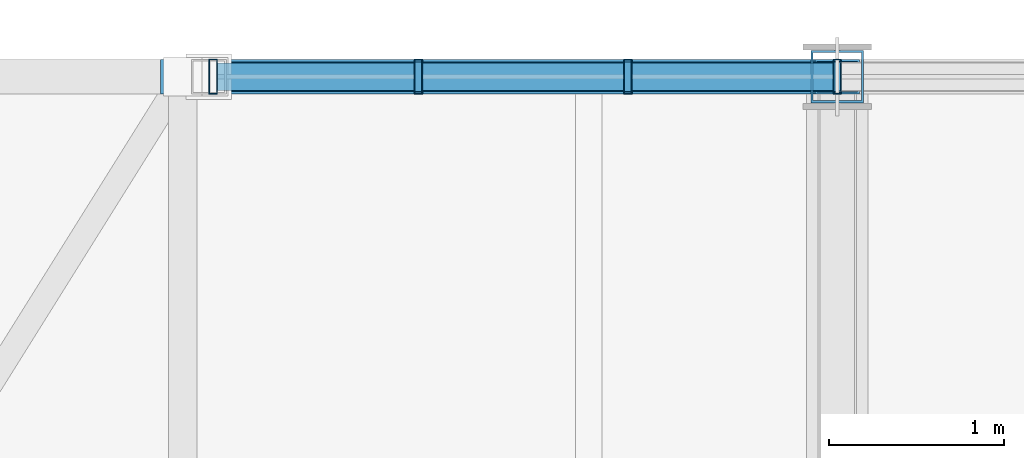
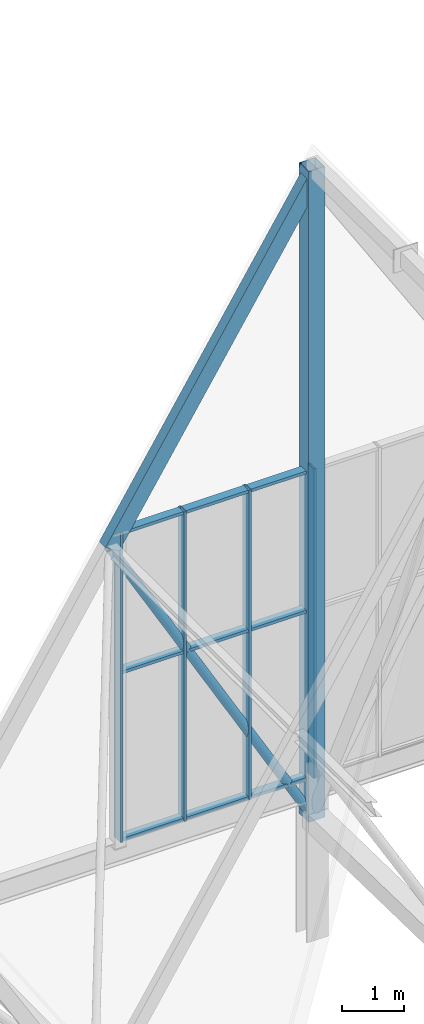
# One storey, part 169 of 324: 16 members, 1 element without a shape of its own.
"""IFC4 building model written with IfcOpenShell, lengths in metres."""

from ifc_helpers import new_model, si_unit, direction, frame, origin, origin_2d, place, context, subcontext, project, spatial, hollow_rectangle, hollow_circle, extrude, material, layer, layer_set, material_profile, profile_set, type_object, element, aggregate, save


model = new_model("IFC4")

# Units and contexts
model_context = context("Model", 3, precision=1e-05, world=origin(), true_north=direction((0.0, 1.0)))
body_context = subcontext(model_context, "Body", "Model", "MODEL_VIEW")
ifc_project = project(units=[si_unit("LENGTHUNIT", "METRE"), si_unit("AREAUNIT", "SQUARE_METRE"), si_unit("VOLUMEUNIT", "CUBIC_METRE"), si_unit("PLANEANGLEUNIT", "RADIAN"), si_unit("MASSUNIT", "GRAM", prefix="KILO")], contexts=[model_context])

# Site, building, storey
site_placement = place(None, origin())
site = spatial("IfcSite", under=ifc_project, at=site_placement, CompositionType="ELEMENT")
building_placement = place(site_placement, origin())
building = spatial("IfcBuilding", under=site, at=building_placement, Name="Solvenia Promenade Tram Depot", CompositionType="ELEMENT")
storey_placement = place(building_placement, frame((0.0, 0.0, 4.5)))
storey = spatial("IfcBuildingStorey", under=building, at=storey_placement, Name="L01", CompositionType="ELEMENT", Elevation=4.5)

# Curtain wall, members
ifc_material_1 = material(Name="Anodized aluminium AW-6063 T6", Category="aluminium")
ifc_layer = layer(ifc_material_1, 0.14990234375, Name="Anodized aluminium AW-6063 T6", Category="aluminium")
ifc_layer_set = layer_set([ifc_layer], Name="Anodized aluminium AW-6063 T6")
curtain_wall_type = type_object("IfcCurtainWallType", Name="CW-Gable-1200", PredefinedType="NOTDEFINED", material=ifc_layer_set)
curtain_wall_placement = place(storey_placement, origin())
curtain_wall = element("IfcCurtainWall", 1, at=curtain_wall_placement, inside=storey, type_object=curtain_wall_type, Name="North Zigzag Gable 09 Peak Glazing", PredefinedType="NOTDEFINED")
ifc_material_profile_1 = material_profile(ifc_material_1, hollow_rectangle(XDim=0.199951171875, YDim=0.048095703125, WallThickness=0.00390625, at=origin_2d()), Name="ALU-M3", Category="aluminium")
ifc_profile_set_1 = profile_set([ifc_material_profile_1], Name="Anodized aluminium AW-6063 T6")
member_type_1 = type_object("IfcMemberType", Name="CWM-Mullion-3", PredefinedType="MULLION", material=ifc_profile_set_1)
member_1_placement = place(storey_placement, frame((123.924072265625, 126.0, 3.10009765625), z_axis=(0.0, 0.0, 1.0), x_axis=(0.0, 1.0, 0.0)))
member_1 = element("IfcMember", 2, at=member_1_placement, type_object=member_type_1, Name="CW-3 mullion 1", PredefinedType="MULLION", context=body_context, shape_type="SweptSolid", body=[
    extrude(hollow_rectangle(XDim=0.199951171875, YDim=0.048095703125, WallThickness=0.00390625, at=origin_2d()), origin(), (0.0, 0.0, 1.0), 6.0498046875),
])
member_2_placement = place(storey_placement, frame((125.10009765625, 126.0, 3.10009765625), z_axis=(0.0, 0.0, 1.0), x_axis=(0.0, 1.0, 0.0)))
member_2 = element("IfcMember", 3, at=member_2_placement, type_object=member_type_1, Name="CW-3 mullion 2", PredefinedType="MULLION", context=body_context, shape_type="SweptSolid", body=[
    extrude(hollow_rectangle(XDim=0.199951171875, YDim=0.048095703125, WallThickness=0.00390625, at=origin_2d()), origin(), (0.0, 0.0, 1.0), 6.0498046875),
])
member_3_placement = place(storey_placement, frame((126.300048828125, 126.0, 3.10009765625), z_axis=(0.0, 0.0, 1.0), x_axis=(0.0, 1.0, 0.0)))
member_3 = element("IfcMember", 4, at=member_3_placement, type_object=member_type_1, Name="CW-3 mullion 3", PredefinedType="MULLION", context=body_context, shape_type="SweptSolid", body=[
    extrude(hollow_rectangle(XDim=0.199951171875, YDim=0.048095703125, WallThickness=0.00390625, at=origin_2d()), origin(), (0.0, 0.0, 1.0), 6.0498046875),
])
member_4_placement = place(storey_placement, frame((127.5, 126.0, 3.10009765625), z_axis=(0.0, 0.0, 1.0), x_axis=(0.0, 1.0, 0.0)))
member_4 = element("IfcMember", 5, at=member_4_placement, type_object=member_type_1, Name="CW-3 mullion 4", PredefinedType="MULLION", context=body_context, shape_type="SweptSolid", body=[
    extrude(hollow_rectangle(XDim=0.199951171875, YDim=0.048095703125, WallThickness=0.00390625, at=origin_2d()), origin(), (0.0, 0.0, 1.0), 6.0498046875),
])
ifc_material_profile_2 = material_profile(ifc_material_1, hollow_rectangle(XDim=0.159912109375, YDim=0.05810546875, WallThickness=0.00390625, at=origin_2d()), Name="ALU-T3", Category="aluminium")
ifc_profile_set_2 = profile_set([ifc_material_profile_2], Name="Anodized aluminium AW-6063 T6")
member_type_2 = type_object("IfcMemberType", Name="CWT-Transom-3", PredefinedType="USERDEFINED", material=ifc_profile_set_2)
member_5_placement = place(storey_placement, frame((123.947998046875, 126.0, 3.12890625), z_axis=(1.0, 0.0, 0.0), x_axis=(0.0, 1.0, 0.0)))
member_5 = element("IfcMember", 6, at=member_5_placement, type_object=member_type_2, Name="CW-3 transom 1.1", ObjectType="TRANSOM", PredefinedType="USERDEFINED", context=body_context, shape_type="SweptSolid", body=[
    extrude(hollow_rectangle(XDim=0.159912109375, YDim=0.05810546875, WallThickness=0.00390625, at=origin_2d()), origin(), (0.0, 0.0, 1.0), 1.1279296875),
])
member_6_placement = place(storey_placement, frame((123.947998046875, 126.0, 6.39990234375), z_axis=(1.0, 0.0, 0.0), x_axis=(0.0, 1.0, 0.0)))
member_6 = element("IfcMember", 7, at=member_6_placement, type_object=member_type_2, Name="CW-3 transom 1.2", ObjectType="TRANSOM", PredefinedType="USERDEFINED", context=body_context, shape_type="SweptSolid", body=[
    extrude(hollow_rectangle(XDim=0.159912109375, YDim=0.05810546875, WallThickness=0.00390625, at=origin_2d()), origin(), (0.0, 0.0, 1.0), 1.1279296875),
])
member_7_placement = place(storey_placement, frame((123.947998046875, 126.0, 9.12109375), z_axis=(1.0, 0.0, 0.0), x_axis=(0.0, 1.0, 0.0)))
member_7 = element("IfcMember", 8, at=member_7_placement, type_object=member_type_2, Name="CW-3 transom 1.3", ObjectType="TRANSOM", PredefinedType="USERDEFINED", context=body_context, shape_type="SweptSolid", body=[
    extrude(hollow_rectangle(XDim=0.159912109375, YDim=0.05810546875, WallThickness=0.00390625, at=origin_2d()), origin(), (0.0, 0.0, 1.0), 1.1279296875),
])
member_8_placement = place(storey_placement, frame((125.1240234375, 126.0, 3.12890625), z_axis=(1.0, 0.0, 0.0), x_axis=(0.0, 1.0, 0.0)))
member_8 = element("IfcMember", 9, at=member_8_placement, type_object=member_type_2, Name="CW-3 transom 2.1", ObjectType="TRANSOM", PredefinedType="USERDEFINED", context=body_context, shape_type="SweptSolid", body=[
    extrude(hollow_rectangle(XDim=0.159912109375, YDim=0.05810546875, WallThickness=0.00390625, at=origin_2d()), origin(), (0.0, 0.0, 1.0), 1.15185546875),
])
member_9_placement = place(storey_placement, frame((125.1240234375, 126.0, 6.39990234375), z_axis=(1.0, 0.0, 0.0), x_axis=(0.0, 1.0, 0.0)))
member_9 = element("IfcMember", 10, at=member_9_placement, type_object=member_type_2, Name="CW-3 transom 2.2", ObjectType="TRANSOM", PredefinedType="USERDEFINED", context=body_context, shape_type="SweptSolid", body=[
    extrude(hollow_rectangle(XDim=0.159912109375, YDim=0.05810546875, WallThickness=0.00390625, at=origin_2d()), origin(), (0.0, 0.0, 1.0), 1.15185546875),
])
member_10_placement = place(storey_placement, frame((125.1240234375, 126.0, 9.12109375), z_axis=(1.0, 0.0, 0.0), x_axis=(0.0, 1.0, 0.0)))
member_10 = element("IfcMember", 11, at=member_10_placement, type_object=member_type_2, Name="CW-3 transom 2.3", ObjectType="TRANSOM", PredefinedType="USERDEFINED", context=body_context, shape_type="SweptSolid", body=[
    extrude(hollow_rectangle(XDim=0.159912109375, YDim=0.05810546875, WallThickness=0.00390625, at=origin_2d()), origin(), (0.0, 0.0, 1.0), 1.15185546875),
])
member_11_placement = place(storey_placement, frame((126.323974609375, 126.0, 3.12890625), z_axis=(1.0, 0.0, 0.0), x_axis=(0.0, 1.0, 0.0)))
member_11 = element("IfcMember", 12, at=member_11_placement, type_object=member_type_2, Name="CW-3 transom 3.1", ObjectType="TRANSOM", PredefinedType="USERDEFINED", context=body_context, shape_type="SweptSolid", body=[
    extrude(hollow_rectangle(XDim=0.159912109375, YDim=0.05810546875, WallThickness=0.00390625, at=origin_2d()), origin(), (0.0, 0.0, 1.0), 1.152099609375),
])
member_12_placement = place(storey_placement, frame((126.323974609375, 126.0, 6.39990234375), z_axis=(1.0, 0.0, 0.0), x_axis=(0.0, 1.0, 0.0)))
member_12 = element("IfcMember", 13, at=member_12_placement, type_object=member_type_2, Name="CW-3 transom 3.2", ObjectType="TRANSOM", PredefinedType="USERDEFINED", context=body_context, shape_type="SweptSolid", body=[
    extrude(hollow_rectangle(XDim=0.159912109375, YDim=0.05810546875, WallThickness=0.00390625, at=origin_2d()), origin(), (0.0, 0.0, 1.0), 1.152099609375),
])
member_13_placement = place(storey_placement, frame((126.323974609375, 126.0, 9.12109375), z_axis=(1.0, 0.0, 0.0), x_axis=(0.0, 1.0, 0.0)))
member_13 = element("IfcMember", 14, at=member_13_placement, type_object=member_type_2, Name="CW-3 transom 3.3", ObjectType="TRANSOM", PredefinedType="USERDEFINED", context=body_context, shape_type="SweptSolid", body=[
    extrude(hollow_rectangle(XDim=0.159912109375, YDim=0.05810546875, WallThickness=0.00390625, at=origin_2d()), origin(), (0.0, 0.0, 1.0), 1.152099609375),
])
aggregate(curtain_wall, [member_1, member_2, member_3, member_4, member_5, member_6, member_7, member_8, member_9, member_10, member_11, member_12, member_13])

# Members
ifc_material_2 = material(Name="Structural steel ASTM A500 Gr. C", Category="steel")
ifc_material_profile_3 = material_profile(ifc_material_2, hollow_rectangle(XDim=0.199951171875, YDim=0.300048828125, WallThickness=0.012451171875, at=origin_2d()), Name="HSS300x200x12.5", Category="steel")
ifc_profile_set_3 = profile_set([ifc_material_profile_3], Name="Structural steel ASTM A500 Gr. C")
member_type_3 = type_object("IfcMemberType", Name="Chord-HSS300x200x12", PredefinedType="CHORD", material=ifc_profile_set_3)
member_14_placement = place(storey_placement, frame((123.75, 126.0, 8.8876953125), z_axis=(0.533522444929, 0.0, 0.845785907164), x_axis=(0.0, 1.0, 0.0)))
element("IfcMember", 15, at=member_14_placement, inside=storey, type_object=member_type_3, Name="Zigzag Gable 09 West Upper Rafter", PredefinedType="CHORD", context=body_context, shape_type="SweptSolid", body=[
    extrude(hollow_rectangle(XDim=0.199951171875, YDim=0.300048828125, WallThickness=0.012451171875, at=origin_2d()), origin(), (0.0, 0.0, 1.0), 7.02880859375),
])
ifc_material_profile_4 = material_profile(ifc_material_2, hollow_rectangle(XDim=0.300048828125, YDim=0.300048828125, WallThickness=0.012451171875, at=origin_2d()), Name="HSS300x300x12.5", Category="steel")
ifc_profile_set_4 = profile_set([ifc_material_profile_4], Name="Structural steel ASTM A500 Gr. C")
member_type_4 = type_object("IfcMemberType", Name="Chord-HSS300x300x12", PredefinedType="CHORD", material=ifc_profile_set_4)
member_15_placement = place(storey_placement, frame((127.5, 126.0, 2.320068359375), z_axis=(0.0, 0.0, 1.0), x_axis=(1.0, 0.0, 0.0)))
element("IfcMember", 16, at=member_15_placement, inside=storey, type_object=member_type_4, Name="Arched Truss T18 N End Post", PredefinedType="CHORD", context=body_context, shape_type="SweptSolid", body=[
    extrude(hollow_rectangle(XDim=0.300048828125, YDim=0.300048828125, WallThickness=0.012451171875, at=origin_2d()), origin(), (0.0, 0.0, 1.0), 12.719970703125),
])
ifc_material_profile_5 = material_profile(ifc_material_2, hollow_circle(Radius=0.084228515625, WallThickness=0.008056640625, at=origin_2d()), Name="CHS168.3x8", Category="steel")
ifc_profile_set_5 = profile_set([ifc_material_profile_5], Name="Structural steel ASTM A500 Gr. C")
member_type_5 = type_object("IfcMemberType", Name="WebDiag-CHS168x8", PredefinedType="BRACE", material=ifc_profile_set_5)
member_16_placement = place(storey_placement, frame((127.5, 126.0, 2.320068359375), z_axis=(-0.495846885085, 0.0, 0.868409964562), x_axis=(0.0, -1.0, 0.0)))
element("IfcMember", 17, at=member_16_placement, inside=storey, type_object=member_type_5, Name="Zigzag Gable 09 West Knee Strut", PredefinedType="BRACE", context=body_context, shape_type="SweptSolid", body=[
    extrude(hollow_circle(Radius=0.084228515625, WallThickness=0.008056640625, at=origin_2d()), origin(), (0.0, 0.0, 1.0), 7.562744140625),
])

save(model, "model.ifc")
